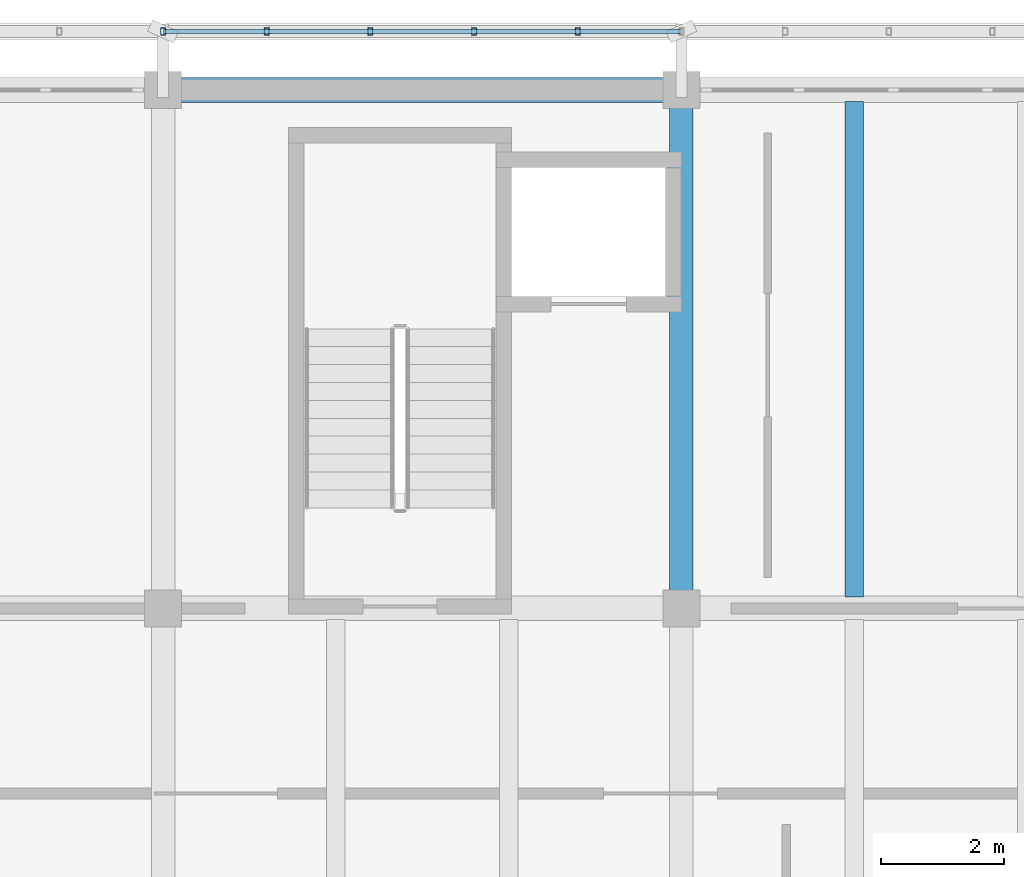
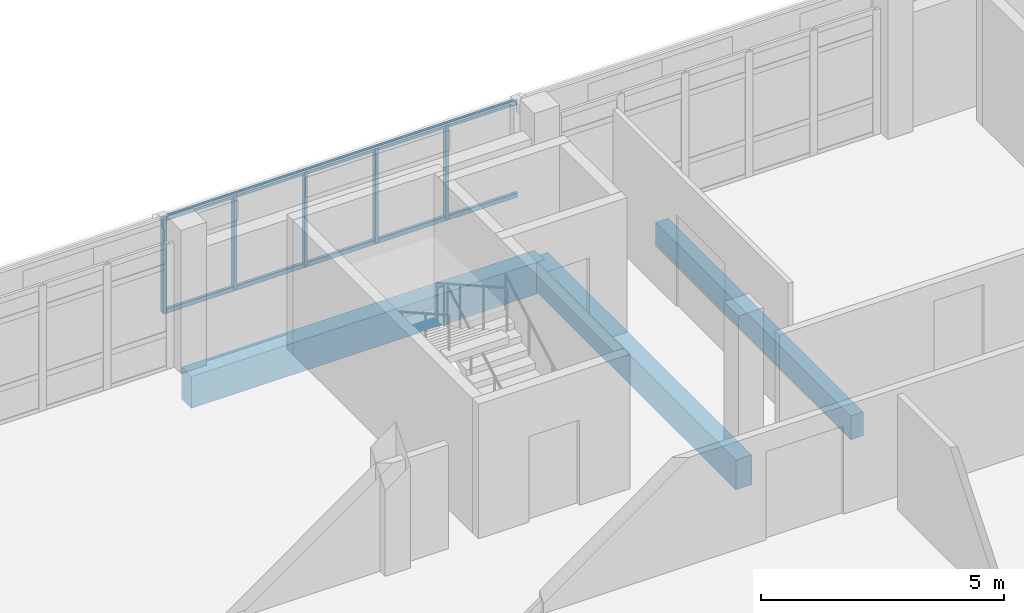
# One storey, part 20 of 50: 7 members, 3 beams.
"""IFC4 building model written with IfcOpenShell, lengths in metres."""

from ifc_helpers import new_model, si_unit, direction, frame, origin, origin_2d, place, context, subcontext, project, spatial, rectangle, hollow_rectangle, extrude, material, material_profile, profile_set, type_object, element, save


model = new_model("IFC4")

# Units and contexts
model_context = context("Model", 3, precision=1e-05, world=origin(), true_north=direction((0.0, 1.0)))
body_context = subcontext(model_context, "Body", "Model", "MODEL_VIEW")
ifc_project = project(units=[si_unit("LENGTHUNIT", "METRE"), si_unit("AREAUNIT", "SQUARE_METRE"), si_unit("VOLUMEUNIT", "CUBIC_METRE"), si_unit("PLANEANGLEUNIT", "RADIAN"), si_unit("MASSUNIT", "GRAM", prefix="KILO")], contexts=[model_context])

# Site, building, storey
site_placement = place(None, origin())
site = spatial("IfcSite", under=ifc_project, at=site_placement, CompositionType="ELEMENT")
building_placement = place(site_placement, origin())
building = spatial("IfcBuilding", under=site, at=building_placement, Name="Cinderway Yard Community Centre", CompositionType="ELEMENT")
storey_placement = place(building_placement, frame((0.0, 0.0, 12.89990234375)))
storey = spatial("IfcBuildingStorey", under=building, at=storey_placement, Name="L03", CompositionType="ELEMENT", Elevation=12.89990234375)

# Members
ifc_material_1 = material(Name="Steel S355", Category="steel")
ifc_material_profile_1 = material_profile(ifc_material_1, hollow_rectangle(XDim=0.080078125, YDim=0.1201171875, WallThickness=0.00634765625, InnerFilletRadius=0.00634765625, OuterFilletRadius=0.0126953125, at=origin_2d()), Name="Steel S355")
ifc_profile_set_1 = profile_set([ifc_material_profile_1], Name="Steel S355")
member_type = type_object("IfcMemberType", Name="ENV-MEM-SCREEN-RAIL-120", PredefinedType="STRINGER", material=ifc_profile_set_1)
member_placement = place(storey_placement, frame((58.39990234375, 116.14990234375, 0.690185546875), z_axis=(0.0, 0.0, 1.0), x_axis=(1.0, 0.0, 0.0)))
element("IfcMember", 1, at=member_placement, inside=storey, type_object=member_type, Name="Screen vertical mullion 0194", PredefinedType="STRINGER", context=body_context, shape_type="SweptSolid", body=[
    extrude(hollow_rectangle(XDim=0.080078125, YDim=0.1201171875, WallThickness=0.00634765625, InnerFilletRadius=0.00634765625, OuterFilletRadius=0.0126953125, at=origin_2d()), origin(), (0.0, 0.0, 1.0), 2.369873046875),
])
for number, where, z_axis, x_axis, name in (
    (2, (58.39990234375, 116.14990234375, 0.710205078125), (1.0, 0.0, 0.0), (0.0, 1.0, 0.0), "Screen support rail 0196-BOT"),
    (3, (58.39990234375, 116.14990234375, 3.0400390625), (1.0, 0.0, 0.0), (0.0, 1.0, 0.0), "Screen support rail 0197-TOP"),
):
    element("IfcMember", number, at=place(storey_placement, frame(where, z_axis=z_axis, x_axis=x_axis)), inside=storey, type_object=member_type, Name=name, PredefinedType="STRINGER", context=body_context, shape_type="SweptSolid", body=[
        extrude(hollow_rectangle(XDim=0.080078125, YDim=0.1201171875, WallThickness=0.00634765625, InnerFilletRadius=0.00634765625, OuterFilletRadius=0.0126953125, at=origin_2d()), origin(), (0.0, 0.0, 1.0), 8.400146484375),
    ])
for number, where, z_axis, x_axis, name in (
    (4, (60.080078125, 116.14990234375, 0.690185546875), (0.0, 0.0, 1.0), (1.0, 0.0, 0.0), "Screen vertical mullion 0198"),
    (5, (61.760009765625, 116.14990234375, 0.690185546875), (0.0, 0.0, 1.0), (1.0, 0.0, 0.0), "Screen vertical mullion 0199"),
    (6, (63.43994140625, 116.14990234375, 0.690185546875), (0.0, 0.0, 1.0), (1.0, 0.0, 0.0), "Screen vertical mullion 0200"),
    (7, (65.1201171875, 116.14990234375, 0.690185546875), (0.0, 0.0, 1.0), (1.0, 0.0, 0.0), "Screen vertical mullion 0201"),
):
    element("IfcMember", number, at=place(storey_placement, frame(where, z_axis=z_axis, x_axis=x_axis)), inside=storey, type_object=member_type, Name=name, PredefinedType="STRINGER", context=body_context, shape_type="SweptSolid", body=[
        extrude(hollow_rectangle(XDim=0.080078125, YDim=0.1201171875, WallThickness=0.00634765625, InnerFilletRadius=0.00634765625, OuterFilletRadius=0.0126953125, at=origin_2d()), origin(), (0.0, 0.0, 1.0), 2.369873046875),
    ])

# Beams
ifc_material_2 = material(Name="Concrete C35/45", Category="concrete")
ifc_material_profile_2 = material_profile(ifc_material_2, rectangle(XDim=0.300048828125, YDim=0.60009765625, at=origin_2d()), Name="Concrete C35/45")
ifc_profile_set_2 = profile_set([ifc_material_profile_2], Name="Concrete C35/45")
beam_type_1 = type_object("IfcBeamType", Name="STR-BM-RC300X600", PredefinedType="JOIST", material=ifc_profile_set_2)
beam_1_placement = place(storey_placement, frame((69.60009765625, 106.98193359375, -0.539794921875), z_axis=(0.0, 1.0, 0.0), x_axis=(-1.0, 0.0, 0.0)))
element("IfcBeam", 8, at=beam_1_placement, inside=storey, type_object=beam_type_1, Name="Secondary joist STR-BM-L03-BJ02-0770", PredefinedType="JOIST", context=body_context, shape_type="SweptSolid", body=[
    extrude(rectangle(XDim=0.300048828125, YDim=0.60009765625, at=origin_2d()), origin(), (0.0, 0.0, 1.0), 8.0361328125),
])
ifc_material_profile_3 = material_profile(ifc_material_2, rectangle(XDim=0.3798828125, YDim=0.75, at=origin_2d()), Name="Concrete C35/45")
ifc_profile_set_3 = profile_set([ifc_material_profile_3], Name="Concrete C35/45")
beam_type_2 = type_object("IfcBeamType", Name="STR-BM-RC380X750", PredefinedType="BEAM", material=ifc_profile_set_3)
beam_2_placement = place(storey_placement, frame((66.800048828125, 106.800048828125, -0.614990234375), z_axis=(0.0, 1.0, 0.0), x_axis=(-1.0, 0.0, 0.0)))
element("IfcBeam", 9, at=beam_2_placement, inside=storey, type_object=beam_type_2, Name="Transverse girder STR-BM-L03-BG06-0725", PredefinedType="BEAM", context=body_context, shape_type="SweptSolid", body=[
    extrude(rectangle(XDim=0.3798828125, YDim=0.75, at=origin_2d()), origin(), (0.0, 0.0, 1.0), 8.39990234375),
])
ifc_material_3 = material(Name="Concrete C40/50", Category="concrete")
ifc_material_profile_4 = material_profile(ifc_material_3, rectangle(XDim=0.39990234375, YDim=0.800048828125, at=origin_2d()), Name="Concrete C40/50")
ifc_profile_set_4 = profile_set([ifc_material_profile_4], Name="Concrete C40/50")
beam_type_3 = type_object("IfcBeamType", Name="STR-BM-RC400X800", PredefinedType="BEAM", material=ifc_profile_set_4)
beam_3_placement = place(storey_placement, frame((58.39990234375, 115.199951171875, -0.639892578125), z_axis=(1.0, 0.0, 0.0), x_axis=(0.0, 1.0, 0.0)))
element("IfcBeam", 10, at=beam_3_placement, inside=storey, type_object=beam_type_3, Name="Primary girder STR-BM-L03-BG05-0705", PredefinedType="BEAM", context=body_context, shape_type="SweptSolid", body=[
    extrude(rectangle(XDim=0.39990234375, YDim=0.800048828125, at=origin_2d()), origin(), (0.0, 0.0, 1.0), 8.400146484375),
])

save(model, "model.ifc")
